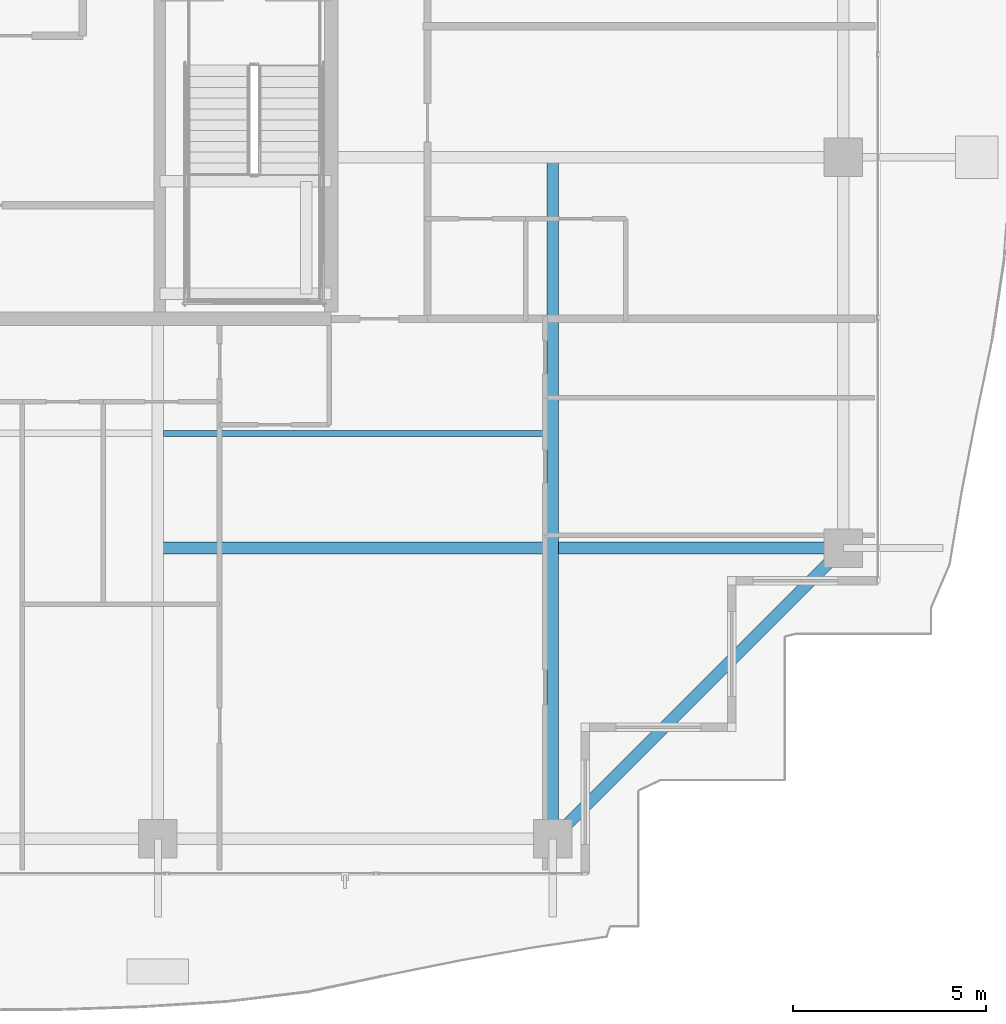
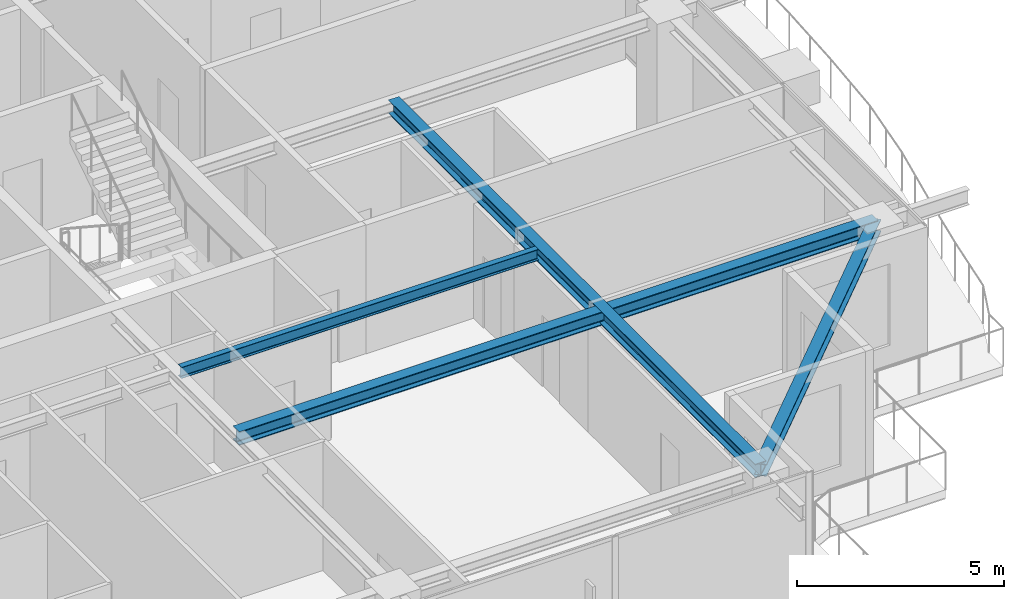
# One storey, part 13 of 42: 4 beams.
"""IFC4 building model written with IfcOpenShell, lengths in metres."""

from ifc_helpers import new_model, si_unit, direction, frame, origin, origin_2d, place, context, subcontext, project, spatial, i_section, extrude, source, transform, mapped, material, material_profile, profile_set, type_object, element, save


model = new_model("IFC4")

# Units and contexts
model_context = context("Model", 3, precision=1e-05, world=origin(), true_north=direction((0.0, 1.0)))
body_context = subcontext(model_context, "Body", "Model", "MODEL_VIEW")
ifc_project = project(units=[si_unit("LENGTHUNIT", "METRE"), si_unit("AREAUNIT", "SQUARE_METRE"), si_unit("VOLUMEUNIT", "CUBIC_METRE"), si_unit("PLANEANGLEUNIT", "RADIAN"), si_unit("MASSUNIT", "GRAM", prefix="KILO")], contexts=[model_context])

# Site, building, storey
site_placement = place(None, origin())
site = spatial("IfcSite", under=ifc_project, at=site_placement, CompositionType="ELEMENT")
building_placement = place(site_placement, origin())
building = spatial("IfcBuilding", under=site, at=building_placement, Name="Serunith Strait Residences", CompositionType="ELEMENT")
storey_placement = place(building_placement, frame((0.0, 0.0, 325.85009765625)))
storey = spatial("IfcBuildingStorey", under=building, at=storey_placement, Name="L81", CompositionType="ELEMENT", Elevation=325.85009765625)

# Beams
ifc_material = material(Name="Steel S355J2", Category="steel")
ifc_material_profile_1 = material_profile(ifc_material, i_section(OverallWidth=0.159912109375, OverallDepth=0.330078125, WebThickness=0.007568359375, FlangeThickness=0.011474609375, FilletRadius=0.01806640625, at=origin_2d()), Name="IPE 330")
ifc_profile_set_1 = profile_set([ifc_material_profile_1], Name="Steel S355J2")
beam_type_1 = type_object("IfcBeamType", Name="BM-IPE330", PredefinedType="JOIST", material=ifc_profile_set_1)
shared_shape_1 = source(origin(), body_context, "Body", "SweptSolid", [
    extrude(i_section(OverallWidth=0.159912109375, OverallDepth=0.330078125, WebThickness=0.007568359375, FlangeThickness=0.011474609375, FilletRadius=0.01806640625, at=origin_2d()), origin(), (0.0, 0.0, 1.0), 9.949951171875),
])
beam_1_placement = place(storey_placement, frame((37.050048828125, 13.824951171875, 3.621826171875), z_axis=(1.0, 0.0, 0.0), x_axis=(0.0, 1.0, 0.0)))
element("IfcBeam", 1, at=beam_1_placement, inside=storey, type_object=beam_type_1, Name="L81 Composite Floor Joist 03", PredefinedType="JOIST", context=body_context, shape_type="MappedRepresentation", body=[
    mapped(shared_shape_1, transform((0.0, 0.0, 0.0), scale=1.0)),
])
ifc_material_profile_2 = material_profile(ifc_material, i_section(OverallWidth=0.300048828125, OverallDepth=0.39990234375, WebThickness=0.013427734375, FlangeThickness=0.02392578125, FilletRadius=0.027099609375, at=origin_2d()), Name="HEB 400")
ifc_profile_set_2 = profile_set([ifc_material_profile_2], Name="Steel S355J2")
beam_type_2 = type_object("IfcBeamType", Name="BM-HEB400", PredefinedType="BEAM", material=ifc_profile_set_2)
shared_shape_2 = source(origin(), body_context, "Body", "SweptSolid", [
    extrude(i_section(OverallWidth=0.300048828125, OverallDepth=0.39990234375, WebThickness=0.013427734375, FlangeThickness=0.02392578125, FilletRadius=0.027099609375, at=origin_2d()), origin(), (0.0, 0.0, 1.0), 17.699951171875),
])
beam_2_placement = place(storey_placement, frame((47.14990234375, 21.0, 3.5869140625), z_axis=(0.0, -1.0, 0.0), x_axis=(1.0, 0.0, 0.0)))
element("IfcBeam", 2, at=beam_2_placement, inside=storey, type_object=beam_type_2, Name="L81 Orthogonal Corner Girder TC-S4", PredefinedType="BEAM", context=body_context, shape_type="MappedRepresentation", body=[
    mapped(shared_shape_2, transform((0.0, 0.0, 0.0), scale=1.0)),
])
shared_shape_3 = source(origin(), body_context, "Body", "SweptSolid", [
    extrude(i_section(OverallWidth=0.300048828125, OverallDepth=0.39990234375, WebThickness=0.013427734375, FlangeThickness=0.02392578125, FilletRadius=0.027099609375, at=origin_2d()), origin(), (0.0, 0.0, 1.0), 17.800048828125),
])
beam_3_placement = place(storey_placement, frame((36.89990234375, 10.85009765625, 3.5869140625), z_axis=(1.0, 0.0, 0.0), x_axis=(0.0, 1.0, 0.0)))
element("IfcBeam", 3, at=beam_3_placement, inside=storey, type_object=beam_type_2, Name="L81 Orthogonal Corner Girder TC-E1", PredefinedType="BEAM", context=body_context, shape_type="MappedRepresentation", body=[
    mapped(shared_shape_3, transform((0.0, 0.0, 0.0), scale=1.0)),
])
ifc_material_profile_3 = material_profile(ifc_material, i_section(OverallWidth=0.300048828125, OverallDepth=0.360107421875, WebThickness=0.012451171875, FlangeThickness=0.0224609375, FilletRadius=0.027099609375, at=origin_2d()), Name="HEB 360")
ifc_profile_set_3 = profile_set([ifc_material_profile_3], Name="Steel S355J2")
beam_type_3 = type_object("IfcBeamType", Name="BM-HEB360", PredefinedType="BEAM", material=ifc_profile_set_3)
shared_shape_4 = source(origin(), body_context, "Body", "SweptSolid", [
    extrude(i_section(OverallWidth=0.300048828125, OverallDepth=0.360107421875, WebThickness=0.012451171875, FlangeThickness=0.0224609375, FilletRadius=0.027099609375, at=origin_2d()), origin(), (0.0, 0.0, 1.0), 10.677490234375),
])
beam_4_placement = place(storey_placement, frame((47.14990234375, 3.300048828125, 3.576904296875), z_axis=(0.707106781187, 0.707106781187, 0.0), x_axis=(-0.707106781187, 0.707106781187, 0.0)))
element("IfcBeam", 4, at=beam_4_placement, inside=storey, type_object=beam_type_3, Name="L81 Perimeter Ring Beam 04", PredefinedType="BEAM", context=body_context, shape_type="MappedRepresentation", body=[
    mapped(shared_shape_4, transform((0.0, 0.0, 0.0), scale=1.0)),
])

save(model, "model.ifc")
